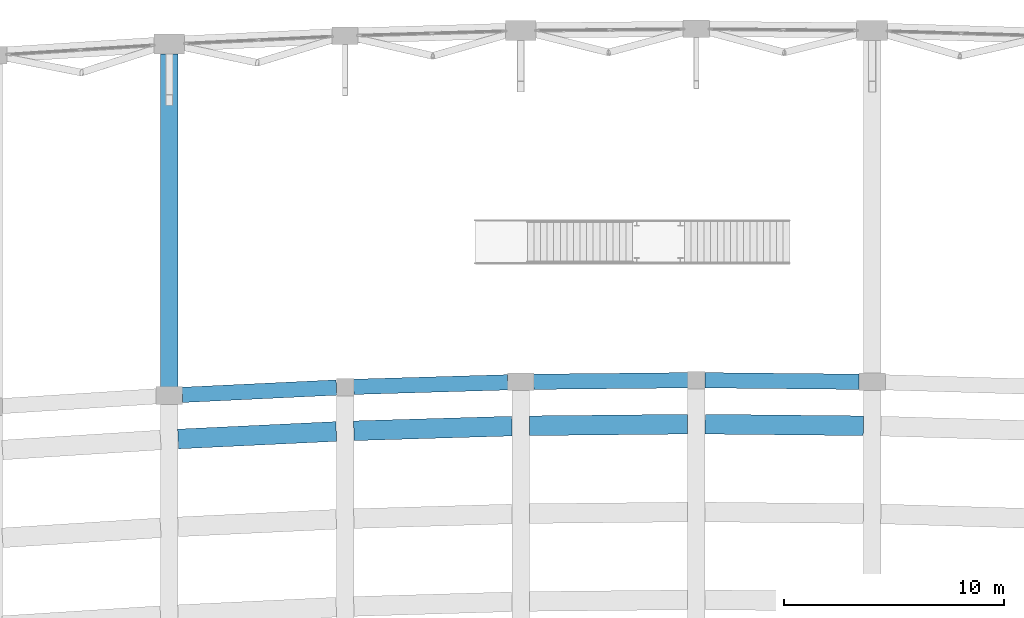
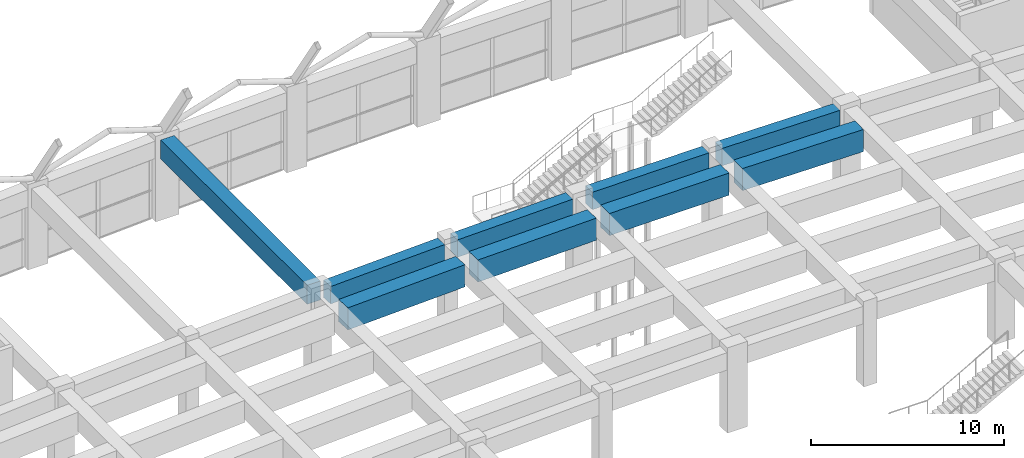
# One storey, part 29 of 69: 9 beams.
"""IFC4 building model written with IfcOpenShell, lengths in metres."""

from ifc_helpers import new_model, si_unit, direction, frame, origin, origin_2d, place, context, subcontext, project, spatial, rectangle, extrude, material, material_profile, profile_set, type_object, element, save


model = new_model("IFC4")

# Units and contexts
model_context = context("Model", 3, precision=1e-05, world=origin(), true_north=direction((0.0, 1.0)))
body_context = subcontext(model_context, "Body", "Model", "MODEL_VIEW")
ifc_project = project(units=[si_unit("LENGTHUNIT", "METRE"), si_unit("AREAUNIT", "SQUARE_METRE"), si_unit("VOLUMEUNIT", "CUBIC_METRE"), si_unit("PLANEANGLEUNIT", "RADIAN"), si_unit("MASSUNIT", "GRAM", prefix="KILO")], contexts=[model_context])

# Site, building, storey
site_placement = place(None, origin())
site = spatial("IfcSite", under=ifc_project, at=site_placement, CompositionType="ELEMENT")
building_placement = place(site_placement, origin())
building = spatial("IfcBuilding", under=site, at=building_placement, Name="Kenh Van Central Station", CompositionType="ELEMENT")
storey_placement = place(building_placement, frame((0.0, 0.0, 5.39990234375)))
storey = spatial("IfcBuildingStorey", under=building, at=storey_placement, Name="L01", CompositionType="ELEMENT", Elevation=5.39990234375)

# Beams
ifc_material = material(Name="Concrete C40/50", Category="concrete")
ifc_material_profile_1 = material_profile(ifc_material, rectangle(XDim=0.699951171875, YDim=1.10009765625, at=origin_2d()), Name="RC 700x1100")
ifc_profile_set_1 = profile_set([ifc_material_profile_1], Name="Concrete C40/50")
beam_type_1 = type_object("IfcBeamType", Name="BM-RC-700x1100", PredefinedType="BEAM", material=ifc_profile_set_1)
beam_1_placement = place(storey_placement, frame((64.58935546875, 98.530029296875, 4.530029296875), z_axis=(0.998867194536, 0.04758495224, 0.0), x_axis=(-0.04758495224, 0.998867194536, 0.0)))
element("IfcBeam", 1, at=beam_1_placement, inside=storey, type_object=beam_type_1, Name="L01 viaduct girder 1412", PredefinedType="BEAM", context=body_context, shape_type="SweptSolid", body=[
    extrude(rectangle(XDim=0.699951171875, YDim=1.10009765625, at=origin_2d()), origin(), (0.0, 0.0, 1.0), 7.029052734375),
])
beam_2_placement = place(storey_placement, frame((72.389892578125, 98.89453125, 4.530029296875), z_axis=(0.999562359797, 0.029581901172, 0.0), x_axis=(-0.029581901172, 0.999562359797, 0.0)))
element("IfcBeam", 2, at=beam_2_placement, inside=storey, type_object=beam_type_1, Name="L01 viaduct girder 1413", PredefinedType="BEAM", context=body_context, shape_type="SweptSolid", body=[
    extrude(rectangle(XDim=0.699951171875, YDim=1.10009765625, at=origin_2d()), origin(), (0.0, 0.0, 1.0), 7.0234375),
])
for number, where, z_axis, x_axis, name in (
    (3, (80.590087890625, 99.125732421875, 4.530029296875), (0.999949843668, 0.010015495409, 0.0), (-0.010015495409, 0.999949843668, 0.0), "L01 viaduct girder 1414"),
    (4, (88.389892578125, 99.196044921875, 4.530029296875), (0.999949843668, -0.010015495409, 0.0), (0.010015495409, 0.999949843668, 0.0), "L01 viaduct girder 1415"),
):
    element("IfcBeam", number, at=place(storey_placement, frame(where, z_axis=z_axis, x_axis=x_axis)), inside=storey, type_object=beam_type_1, Name=name, PredefinedType="BEAM", context=body_context, shape_type="SweptSolid", body=[
        extrude(rectangle(XDim=0.699951171875, YDim=1.10009765625, at=origin_2d()), origin(), (0.0, 0.0, 1.0), 7.020263671875),
    ])
ifc_material_profile_2 = material_profile(ifc_material, rectangle(XDim=0.800048828125, YDim=1.199951171875, at=origin_2d()), Name="RC 800x1200")
ifc_profile_set_2 = profile_set([ifc_material_profile_2], Name="Concrete C40/50")
beam_type_2 = type_object("IfcBeamType", Name="BM-TRK-800x1200", PredefinedType="BEAM", material=ifc_profile_set_2)
beam_3_placement = place(storey_placement, frame((64.0, 98.891845703125, 4.47998046875), z_axis=(0.0, 1.0, 0.0), x_axis=(-1.0, 0.0, 0.0)))
element("IfcBeam", 5, at=beam_3_placement, inside=storey, type_object=beam_type_2, Name="L01 viaduct cross-girder 1450", PredefinedType="BEAM", context=body_context, shape_type="SweptSolid", body=[
    extrude(rectangle(XDim=0.800048828125, YDim=1.199951171875, at=origin_2d()), origin(), (0.0, 0.0, 1.0), 15.170166015625),
])
ifc_material_profile_3 = material_profile(ifc_material, rectangle(XDim=0.89990234375, YDim=1.39990234375, at=origin_2d()), Name="RC 900x1400")
ifc_profile_set_3 = profile_set([ifc_material_profile_3], Name="Concrete C40/50")
beam_type_3 = type_object("IfcBeamType", Name="BM-TRK-900x1400", PredefinedType="BEAM", material=ifc_profile_set_3)
beam_4_placement = place(storey_placement, frame((64.399658203125, 96.52099609375, 4.380126953125), z_axis=(0.998867294729, 0.047582849023, 0.0), x_axis=(-0.047582849023, 0.998867294729, 0.0)))
element("IfcBeam", 6, at=beam_4_placement, inside=storey, type_object=beam_type_3, Name="Track 4 trough girder 1521", PredefinedType="BEAM", context=body_context, shape_type="SweptSolid", body=[
    extrude(rectangle(XDim=0.89990234375, YDim=1.39990234375, at=origin_2d()), origin(), (0.0, 0.0, 1.0), 7.208740234375),
])
beam_5_placement = place(storey_placement, frame((72.39990234375, 96.89501953125, 4.380126953125), z_axis=(0.999563172588, 0.029554424471, 0.0), x_axis=(-0.029554424471, 0.999563172588, 0.0)))
element("IfcBeam", 7, at=beam_5_placement, inside=storey, type_object=beam_type_3, Name="Track 4 trough girder 1522", PredefinedType="BEAM", context=body_context, shape_type="SweptSolid", body=[
    extrude(rectangle(XDim=0.89990234375, YDim=1.39990234375, at=origin_2d()), origin(), (0.0, 0.0, 1.0), 7.203369140625),
])
for number, where, z_axis, x_axis, name in (
    (8, (80.39990234375, 97.123779296875, 4.380126953125), (0.999949636933, 0.010036114625, 0.0), (-0.010036114625, 0.999949636933, 0.0), "Track 4 trough girder 1523"),
    (9, (88.39990234375, 97.196044921875, 4.380126953125), (0.999949636933, -0.010036114625, 0.0), (0.010036114625, 0.999949636933, 0.0), "Track 4 trough girder 1524"),
):
    element("IfcBeam", number, at=place(storey_placement, frame(where, z_axis=z_axis, x_axis=x_axis)), inside=storey, type_object=beam_type_3, Name=name, PredefinedType="BEAM", context=body_context, shape_type="SweptSolid", body=[
        extrude(rectangle(XDim=0.89990234375, YDim=1.39990234375, at=origin_2d()), origin(), (0.0, 0.0, 1.0), 7.200439453125),
    ])

save(model, "model.ifc")
